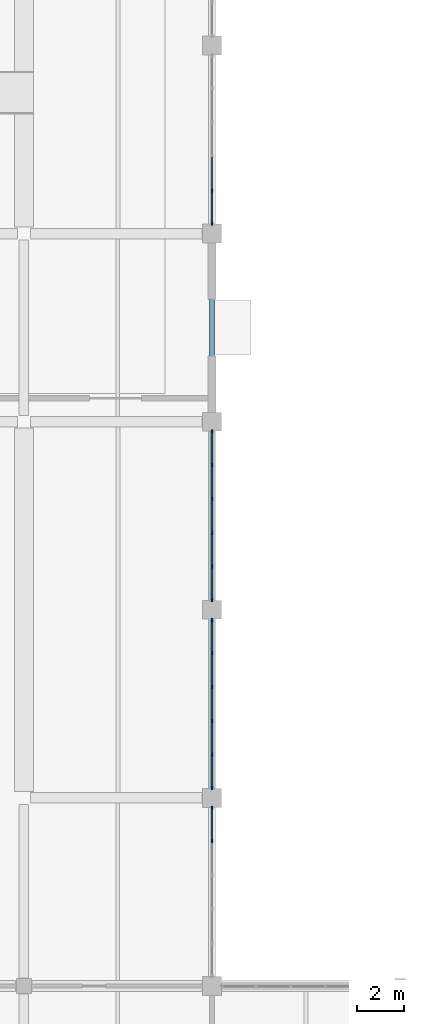
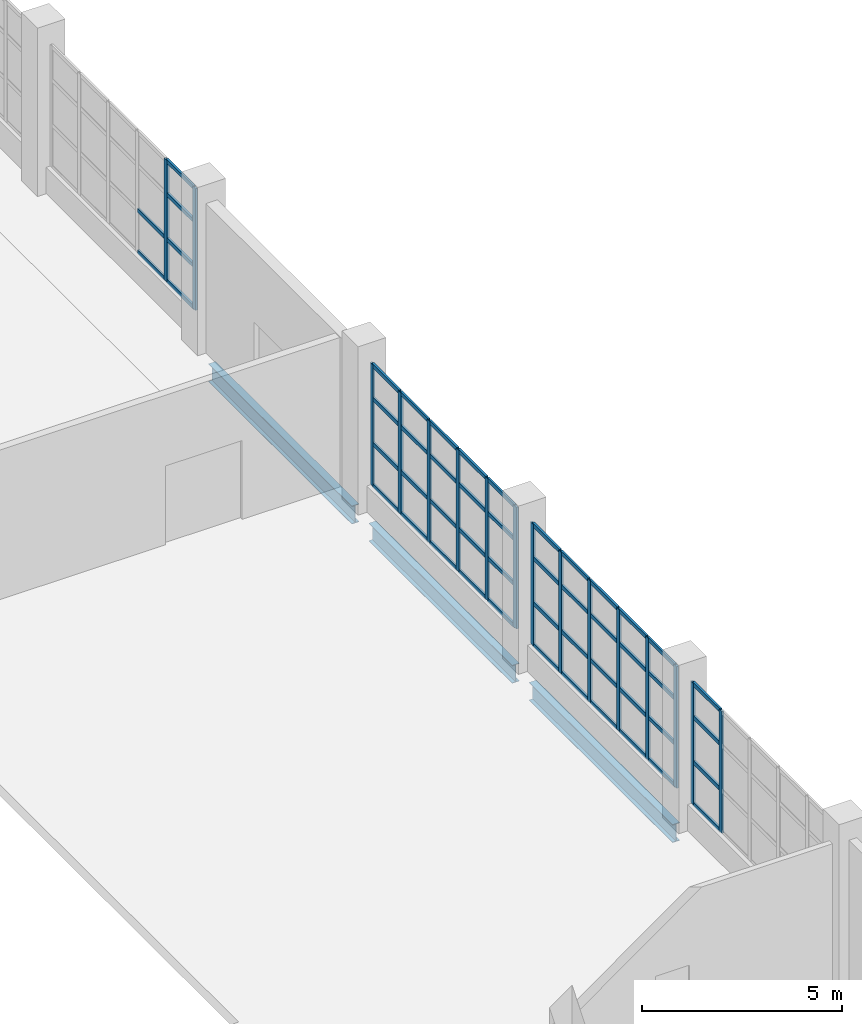
# One storey, part 24 of 103: 66 members, 3 beams, 4 elements without a shape of their own.
"""IFC4 building model written with IfcOpenShell, lengths in metres."""

from ifc_helpers import new_model, si_unit, direction, frame, origin, origin_2d, place, context, subcontext, project, spatial, rectangle, i_section, extrude, material, layer, layer_set, material_profile, profile_set, type_object, element, aggregate, save


model = new_model("IFC4")

# Units and contexts
model_context = context("Model", 3, precision=1e-05, world=origin(), true_north=direction((0.0, 1.0)))
body_context = subcontext(model_context, "Body", "Model", "MODEL_VIEW")
ifc_project = project(units=[si_unit("LENGTHUNIT", "METRE"), si_unit("AREAUNIT", "SQUARE_METRE"), si_unit("VOLUMEUNIT", "CUBIC_METRE"), si_unit("PLANEANGLEUNIT", "RADIAN"), si_unit("MASSUNIT", "GRAM", prefix="KILO")], contexts=[model_context])

# Site, building, storey
site_placement = place(None, origin())
site = spatial("IfcSite", under=ifc_project, at=site_placement, CompositionType="ELEMENT")
building_placement = place(site_placement, origin())
building = spatial("IfcBuilding", under=site, at=building_placement, Name="Drelvana Railside Aquatics Centre", CompositionType="ELEMENT")
storey_placement = place(building_placement, origin())
storey = spatial("IfcBuildingStorey", under=building, at=storey_placement, Name="L00", CompositionType="ELEMENT", Elevation=0.0)

# Curtain wall, members
ifc_material_1 = material(Name="Bronze-anodised aluminium curtain wall", Category="aluminium")
ifc_layer = layer(ifc_material_1, 0.1650390625, Name="Bronze-anodised aluminium curtain wall")
ifc_layer_set = layer_set([ifc_layer], Name="Bronze-anodised aluminium curtain wall")
curtain_wall_type = type_object("IfcCurtainWallType", Name="CW-Z5-COURT", PredefinedType="NOTDEFINED", material=ifc_layer_set)
curtain_wall_1_placement = place(storey_placement, origin())
curtain_wall_1 = element("IfcCurtainWall", 1, at=curtain_wall_1_placement, inside=storey, type_object=curtain_wall_type, Name="Curtain wall CW-05-055", PredefinedType="NOTDEFINED")
ifc_material_2 = material(Name="Bronze-anodised aluminium 6063-T6", Category="aluminium")
ifc_material_profile_1 = material_profile(ifc_material_2, rectangle(XDim=0.06005859375, YDim=0.14990234375, at=origin_2d()), Name="ALU-M 60x150")
ifc_profile_set_1 = profile_set([ifc_material_profile_1], Name="Bronze-anodised aluminium 6063-T6")
member_type_1 = type_object("IfcMemberType", Name="CW-Z5-COURT-MUL", PredefinedType="MULLION", material=ifc_profile_set_1)
member_1_placement = place(storey_placement, frame((96.0, 30.16357421875, 0.7939453125), z_axis=(0.0, 0.0, 1.0), x_axis=(-1.0, 0.0, 0.0)))
member_1 = element("IfcMember", 2, at=member_1_placement, type_object=member_type_1, Name="CW-05 mullion 5", PredefinedType="MULLION", context=body_context, shape_type="SweptSolid", body=[
    extrude(rectangle(XDim=0.06005859375, YDim=0.14990234375, at=origin_2d()), origin(), (0.0, 0.0, 1.0), 3.7060546875),
])
member_2_placement = place(storey_placement, frame((96.0, 31.575927734375, 0.7939453125), z_axis=(0.0, 0.0, 1.0), x_axis=(-1.0, 0.0, 0.0)))
member_2 = element("IfcMember", 3, at=member_2_placement, type_object=member_type_1, Name="CW-05 mullion 6", PredefinedType="MULLION", context=body_context, shape_type="SweptSolid", body=[
    extrude(rectangle(XDim=0.06005859375, YDim=0.14990234375, at=origin_2d()), origin(), (0.0, 0.0, 1.0), 3.7060546875),
])

curtain_wall_2_placement = place(storey_placement, origin())
curtain_wall_2 = element("IfcCurtainWall", 4, at=curtain_wall_2_placement, inside=storey, type_object=curtain_wall_type, Name="Curtain wall CW-05-059", PredefinedType="NOTDEFINED")
member_3_placement = place(storey_placement, frame((96.0, 32.424072265625, 0.7939453125), z_axis=(0.0, 0.0, 1.0), x_axis=(-1.0, 0.0, 0.0)))
member_3 = element("IfcMember", 5, at=member_3_placement, type_object=member_type_1, Name="CW-05 mullion 1", PredefinedType="MULLION", context=body_context, shape_type="SweptSolid", body=[
    extrude(rectangle(XDim=0.06005859375, YDim=0.14990234375, at=origin_2d()), origin(), (0.0, 0.0, 1.0), 3.7060546875),
])
member_4_placement = place(storey_placement, frame((96.0, 33.83642578125, 0.7939453125), z_axis=(0.0, 0.0, 1.0), x_axis=(-1.0, 0.0, 0.0)))
member_4 = element("IfcMember", 6, at=member_4_placement, type_object=member_type_1, Name="CW-05 mullion 2", PredefinedType="MULLION", context=body_context, shape_type="SweptSolid", body=[
    extrude(rectangle(XDim=0.06005859375, YDim=0.14990234375, at=origin_2d()), origin(), (0.0, 0.0, 1.0), 3.7060546875),
])
member_5_placement = place(storey_placement, frame((96.0, 35.27880859375, 0.7939453125), z_axis=(0.0, 0.0, 1.0), x_axis=(-1.0, 0.0, 0.0)))
member_5 = element("IfcMember", 7, at=member_5_placement, type_object=member_type_1, Name="CW-05 mullion 3", PredefinedType="MULLION", context=body_context, shape_type="SweptSolid", body=[
    extrude(rectangle(XDim=0.06005859375, YDim=0.14990234375, at=origin_2d()), origin(), (0.0, 0.0, 1.0), 3.7060546875),
])
member_6_placement = place(storey_placement, frame((96.0, 36.72119140625, 0.7939453125), z_axis=(0.0, 0.0, 1.0), x_axis=(-1.0, 0.0, 0.0)))
member_6 = element("IfcMember", 8, at=member_6_placement, type_object=member_type_1, Name="CW-05 mullion 4", PredefinedType="MULLION", context=body_context, shape_type="SweptSolid", body=[
    extrude(rectangle(XDim=0.06005859375, YDim=0.14990234375, at=origin_2d()), origin(), (0.0, 0.0, 1.0), 3.7060546875),
])
member_7_placement = place(storey_placement, frame((96.0, 38.16357421875, 0.7939453125), z_axis=(0.0, 0.0, 1.0), x_axis=(-1.0, 0.0, 0.0)))
member_7 = element("IfcMember", 9, at=member_7_placement, type_object=member_type_1, Name="CW-05 mullion 5", PredefinedType="MULLION", context=body_context, shape_type="SweptSolid", body=[
    extrude(rectangle(XDim=0.06005859375, YDim=0.14990234375, at=origin_2d()), origin(), (0.0, 0.0, 1.0), 3.7060546875),
])
member_8_placement = place(storey_placement, frame((96.0, 39.575927734375, 0.7939453125), z_axis=(0.0, 0.0, 1.0), x_axis=(-1.0, 0.0, 0.0)))
member_8 = element("IfcMember", 10, at=member_8_placement, type_object=member_type_1, Name="CW-05 mullion 6", PredefinedType="MULLION", context=body_context, shape_type="SweptSolid", body=[
    extrude(rectangle(XDim=0.06005859375, YDim=0.14990234375, at=origin_2d()), origin(), (0.0, 0.0, 1.0), 3.7060546875),
])

curtain_wall_3_placement = place(storey_placement, origin())
curtain_wall_3 = element("IfcCurtainWall", 11, at=curtain_wall_3_placement, inside=storey, type_object=curtain_wall_type, Name="Curtain wall CW-05-063", PredefinedType="NOTDEFINED")
member_9_placement = place(storey_placement, frame((96.0, 40.424072265625, 0.7939453125), z_axis=(0.0, 0.0, 1.0), x_axis=(-1.0, 0.0, 0.0)))
member_9 = element("IfcMember", 12, at=member_9_placement, type_object=member_type_1, Name="CW-05 mullion 1", PredefinedType="MULLION", context=body_context, shape_type="SweptSolid", body=[
    extrude(rectangle(XDim=0.06005859375, YDim=0.14990234375, at=origin_2d()), origin(), (0.0, 0.0, 1.0), 3.7060546875),
])
member_10_placement = place(storey_placement, frame((96.0, 41.83642578125, 0.7939453125), z_axis=(0.0, 0.0, 1.0), x_axis=(-1.0, 0.0, 0.0)))
member_10 = element("IfcMember", 13, at=member_10_placement, type_object=member_type_1, Name="CW-05 mullion 2", PredefinedType="MULLION", context=body_context, shape_type="SweptSolid", body=[
    extrude(rectangle(XDim=0.06005859375, YDim=0.14990234375, at=origin_2d()), origin(), (0.0, 0.0, 1.0), 3.7060546875),
])
member_11_placement = place(storey_placement, frame((96.0, 43.27880859375, 0.7939453125), z_axis=(0.0, 0.0, 1.0), x_axis=(-1.0, 0.0, 0.0)))
member_11 = element("IfcMember", 14, at=member_11_placement, type_object=member_type_1, Name="CW-05 mullion 3", PredefinedType="MULLION", context=body_context, shape_type="SweptSolid", body=[
    extrude(rectangle(XDim=0.06005859375, YDim=0.14990234375, at=origin_2d()), origin(), (0.0, 0.0, 1.0), 3.7060546875),
])
member_12_placement = place(storey_placement, frame((96.0, 44.72119140625, 0.7939453125), z_axis=(0.0, 0.0, 1.0), x_axis=(-1.0, 0.0, 0.0)))
member_12 = element("IfcMember", 15, at=member_12_placement, type_object=member_type_1, Name="CW-05 mullion 4", PredefinedType="MULLION", context=body_context, shape_type="SweptSolid", body=[
    extrude(rectangle(XDim=0.06005859375, YDim=0.14990234375, at=origin_2d()), origin(), (0.0, 0.0, 1.0), 3.7060546875),
])
member_13_placement = place(storey_placement, frame((96.0, 46.16357421875, 0.7939453125), z_axis=(0.0, 0.0, 1.0), x_axis=(-1.0, 0.0, 0.0)))
member_13 = element("IfcMember", 16, at=member_13_placement, type_object=member_type_1, Name="CW-05 mullion 5", PredefinedType="MULLION", context=body_context, shape_type="SweptSolid", body=[
    extrude(rectangle(XDim=0.06005859375, YDim=0.14990234375, at=origin_2d()), origin(), (0.0, 0.0, 1.0), 3.7060546875),
])
member_14_placement = place(storey_placement, frame((96.0, 47.575927734375, 0.7939453125), z_axis=(0.0, 0.0, 1.0), x_axis=(-1.0, 0.0, 0.0)))
member_14 = element("IfcMember", 17, at=member_14_placement, type_object=member_type_1, Name="CW-05 mullion 6", PredefinedType="MULLION", context=body_context, shape_type="SweptSolid", body=[
    extrude(rectangle(XDim=0.06005859375, YDim=0.14990234375, at=origin_2d()), origin(), (0.0, 0.0, 1.0), 3.7060546875),
])

curtain_wall_4_placement = place(storey_placement, origin())
curtain_wall_4 = element("IfcCurtainWall", 18, at=curtain_wall_4_placement, inside=storey, type_object=curtain_wall_type, Name="Curtain wall CW-05-070", PredefinedType="NOTDEFINED")
member_15_placement = place(storey_placement, frame((96.0, 56.424072265625, 0.7939453125), z_axis=(0.0, 0.0, 1.0), x_axis=(-1.0, 0.0, 0.0)))
member_15 = element("IfcMember", 19, at=member_15_placement, type_object=member_type_1, Name="CW-05 mullion 1", PredefinedType="MULLION", context=body_context, shape_type="SweptSolid", body=[
    extrude(rectangle(XDim=0.06005859375, YDim=0.14990234375, at=origin_2d()), origin(), (0.0, 0.0, 1.0), 3.7060546875),
])
member_16_placement = place(storey_placement, frame((96.0, 57.83642578125, 0.7939453125), z_axis=(0.0, 0.0, 1.0), x_axis=(-1.0, 0.0, 0.0)))
member_16 = element("IfcMember", 20, at=member_16_placement, type_object=member_type_1, Name="CW-05 mullion 2", PredefinedType="MULLION", context=body_context, shape_type="SweptSolid", body=[
    extrude(rectangle(XDim=0.06005859375, YDim=0.14990234375, at=origin_2d()), origin(), (0.0, 0.0, 1.0), 3.7060546875),
])

# Member
ifc_material_profile_2 = material_profile(ifc_material_2, rectangle(XDim=0.1201171875, YDim=0.06005859375, at=origin_2d()), Name="ALU-T 60x120")
ifc_profile_set_2 = profile_set([ifc_material_profile_2], Name="Bronze-anodised aluminium 6063-T6")
member_type_2 = type_object("IfcMemberType", Name="CW-Z5-COURT-TRN", PredefinedType="USERDEFINED", material=ifc_profile_set_2)
member_17_placement = place(storey_placement, frame((96.0, 30.188720703125, 0.823974609375), z_axis=(0.0, 1.0, 0.0), x_axis=(0.0, 0.0, 1.0)))
member_17 = element("IfcMember", 21, at=member_17_placement, type_object=member_type_2, Name="CW-05 transom 5.1", ObjectType="TRANSOM", PredefinedType="USERDEFINED", context=body_context, shape_type="SweptSolid", body=[
    extrude(rectangle(XDim=0.1201171875, YDim=0.06005859375, at=origin_2d()), origin(), (0.0, 0.0, 1.0), 1.3623046875),
])

member_18_placement = place(storey_placement, frame((96.0, 30.188720703125, 2.091064453125), z_axis=(0.0, 1.0, 0.0), x_axis=(0.0, 0.0, 1.0)))
member_18 = element("IfcMember", 22, at=member_18_placement, type_object=member_type_2, Name="CW-05 transom 5.2", ObjectType="TRANSOM", PredefinedType="USERDEFINED", context=body_context, shape_type="SweptSolid", body=[
    extrude(rectangle(XDim=0.1201171875, YDim=0.06005859375, at=origin_2d()), origin(), (0.0, 0.0, 1.0), 1.3623046875),
])

member_19_placement = place(storey_placement, frame((96.0, 30.188720703125, 3.4619140625), z_axis=(0.0, 1.0, 0.0), x_axis=(0.0, 0.0, 1.0)))
member_19 = element("IfcMember", 23, at=member_19_placement, type_object=member_type_2, Name="CW-05 transom 5.3", ObjectType="TRANSOM", PredefinedType="USERDEFINED", context=body_context, shape_type="SweptSolid", body=[
    extrude(rectangle(XDim=0.1201171875, YDim=0.06005859375, at=origin_2d()), origin(), (0.0, 0.0, 1.0), 1.3623046875),
])

member_20_placement = place(storey_placement, frame((96.0, 30.188720703125, 4.469970703125), z_axis=(0.0, 1.0, 0.0), x_axis=(0.0, 0.0, 1.0)))
member_20 = element("IfcMember", 24, at=member_20_placement, type_object=member_type_2, Name="CW-05 transom 5.4", ObjectType="TRANSOM", PredefinedType="USERDEFINED", context=body_context, shape_type="SweptSolid", body=[
    extrude(rectangle(XDim=0.1201171875, YDim=0.06005859375, at=origin_2d()), origin(), (0.0, 0.0, 1.0), 1.3623046875),
])

aggregate(curtain_wall_1, [member_1, member_2, member_17, member_18, member_19, member_20])

member_21_placement = place(storey_placement, frame((96.0, 32.448974609375, 0.823974609375), z_axis=(0.0, 1.0, 0.0), x_axis=(0.0, 0.0, 1.0)))
member_21 = element("IfcMember", 25, at=member_21_placement, type_object=member_type_2, Name="CW-05 transom 1.1", ObjectType="TRANSOM", PredefinedType="USERDEFINED", context=body_context, shape_type="SweptSolid", body=[
    extrude(rectangle(XDim=0.1201171875, YDim=0.06005859375, at=origin_2d()), origin(), (0.0, 0.0, 1.0), 1.3623046875),
])

member_22_placement = place(storey_placement, frame((96.0, 32.448974609375, 2.091064453125), z_axis=(0.0, 1.0, 0.0), x_axis=(0.0, 0.0, 1.0)))
member_22 = element("IfcMember", 26, at=member_22_placement, type_object=member_type_2, Name="CW-05 transom 1.2", ObjectType="TRANSOM", PredefinedType="USERDEFINED", context=body_context, shape_type="SweptSolid", body=[
    extrude(rectangle(XDim=0.1201171875, YDim=0.06005859375, at=origin_2d()), origin(), (0.0, 0.0, 1.0), 1.3623046875),
])

member_23_placement = place(storey_placement, frame((96.0, 32.448974609375, 3.4619140625), z_axis=(0.0, 1.0, 0.0), x_axis=(0.0, 0.0, 1.0)))
member_23 = element("IfcMember", 27, at=member_23_placement, type_object=member_type_2, Name="CW-05 transom 1.3", ObjectType="TRANSOM", PredefinedType="USERDEFINED", context=body_context, shape_type="SweptSolid", body=[
    extrude(rectangle(XDim=0.1201171875, YDim=0.06005859375, at=origin_2d()), origin(), (0.0, 0.0, 1.0), 1.3623046875),
])

member_24_placement = place(storey_placement, frame((96.0, 32.448974609375, 4.469970703125), z_axis=(0.0, 1.0, 0.0), x_axis=(0.0, 0.0, 1.0)))
member_24 = element("IfcMember", 28, at=member_24_placement, type_object=member_type_2, Name="CW-05 transom 1.4", ObjectType="TRANSOM", PredefinedType="USERDEFINED", context=body_context, shape_type="SweptSolid", body=[
    extrude(rectangle(XDim=0.1201171875, YDim=0.06005859375, at=origin_2d()), origin(), (0.0, 0.0, 1.0), 1.3623046875),
])

member_25_placement = place(storey_placement, frame((96.0, 33.861328125, 0.823974609375), z_axis=(0.0, 1.0, 0.0), x_axis=(0.0, 0.0, 1.0)))
member_25 = element("IfcMember", 29, at=member_25_placement, type_object=member_type_2, Name="CW-05 transom 2.1", ObjectType="TRANSOM", PredefinedType="USERDEFINED", context=body_context, shape_type="SweptSolid", body=[
    extrude(rectangle(XDim=0.1201171875, YDim=0.06005859375, at=origin_2d()), origin(), (0.0, 0.0, 1.0), 1.392578125),
])

member_26_placement = place(storey_placement, frame((96.0, 33.861328125, 2.091064453125), z_axis=(0.0, 1.0, 0.0), x_axis=(0.0, 0.0, 1.0)))
member_26 = element("IfcMember", 30, at=member_26_placement, type_object=member_type_2, Name="CW-05 transom 2.2", ObjectType="TRANSOM", PredefinedType="USERDEFINED", context=body_context, shape_type="SweptSolid", body=[
    extrude(rectangle(XDim=0.1201171875, YDim=0.06005859375, at=origin_2d()), origin(), (0.0, 0.0, 1.0), 1.392578125),
])

member_27_placement = place(storey_placement, frame((96.0, 33.861328125, 3.4619140625), z_axis=(0.0, 1.0, 0.0), x_axis=(0.0, 0.0, 1.0)))
member_27 = element("IfcMember", 31, at=member_27_placement, type_object=member_type_2, Name="CW-05 transom 2.3", ObjectType="TRANSOM", PredefinedType="USERDEFINED", context=body_context, shape_type="SweptSolid", body=[
    extrude(rectangle(XDim=0.1201171875, YDim=0.06005859375, at=origin_2d()), origin(), (0.0, 0.0, 1.0), 1.392578125),
])

member_28_placement = place(storey_placement, frame((96.0, 33.861328125, 4.469970703125), z_axis=(0.0, 1.0, 0.0), x_axis=(0.0, 0.0, 1.0)))
member_28 = element("IfcMember", 32, at=member_28_placement, type_object=member_type_2, Name="CW-05 transom 2.4", ObjectType="TRANSOM", PredefinedType="USERDEFINED", context=body_context, shape_type="SweptSolid", body=[
    extrude(rectangle(XDim=0.1201171875, YDim=0.06005859375, at=origin_2d()), origin(), (0.0, 0.0, 1.0), 1.392578125),
])

member_29_placement = place(storey_placement, frame((96.0, 35.3037109375, 0.823974609375), z_axis=(0.0, 1.0, 0.0), x_axis=(0.0, 0.0, 1.0)))
member_29 = element("IfcMember", 33, at=member_29_placement, type_object=member_type_2, Name="CW-05 transom 3.1", ObjectType="TRANSOM", PredefinedType="USERDEFINED", context=body_context, shape_type="SweptSolid", body=[
    extrude(rectangle(XDim=0.1201171875, YDim=0.06005859375, at=origin_2d()), origin(), (0.0, 0.0, 1.0), 1.392578125),
])

member_30_placement = place(storey_placement, frame((96.0, 35.3037109375, 2.091064453125), z_axis=(0.0, 1.0, 0.0), x_axis=(0.0, 0.0, 1.0)))
member_30 = element("IfcMember", 34, at=member_30_placement, type_object=member_type_2, Name="CW-05 transom 3.2", ObjectType="TRANSOM", PredefinedType="USERDEFINED", context=body_context, shape_type="SweptSolid", body=[
    extrude(rectangle(XDim=0.1201171875, YDim=0.06005859375, at=origin_2d()), origin(), (0.0, 0.0, 1.0), 1.392578125),
])

member_31_placement = place(storey_placement, frame((96.0, 35.3037109375, 3.4619140625), z_axis=(0.0, 1.0, 0.0), x_axis=(0.0, 0.0, 1.0)))
member_31 = element("IfcMember", 35, at=member_31_placement, type_object=member_type_2, Name="CW-05 transom 3.3", ObjectType="TRANSOM", PredefinedType="USERDEFINED", context=body_context, shape_type="SweptSolid", body=[
    extrude(rectangle(XDim=0.1201171875, YDim=0.06005859375, at=origin_2d()), origin(), (0.0, 0.0, 1.0), 1.392578125),
])

member_32_placement = place(storey_placement, frame((96.0, 35.3037109375, 4.469970703125), z_axis=(0.0, 1.0, 0.0), x_axis=(0.0, 0.0, 1.0)))
member_32 = element("IfcMember", 36, at=member_32_placement, type_object=member_type_2, Name="CW-05 transom 3.4", ObjectType="TRANSOM", PredefinedType="USERDEFINED", context=body_context, shape_type="SweptSolid", body=[
    extrude(rectangle(XDim=0.1201171875, YDim=0.06005859375, at=origin_2d()), origin(), (0.0, 0.0, 1.0), 1.392578125),
])

member_33_placement = place(storey_placement, frame((96.0, 36.74609375, 0.823974609375), z_axis=(0.0, 1.0, 0.0), x_axis=(0.0, 0.0, 1.0)))
member_33 = element("IfcMember", 37, at=member_33_placement, type_object=member_type_2, Name="CW-05 transom 4.1", ObjectType="TRANSOM", PredefinedType="USERDEFINED", context=body_context, shape_type="SweptSolid", body=[
    extrude(rectangle(XDim=0.1201171875, YDim=0.06005859375, at=origin_2d()), origin(), (0.0, 0.0, 1.0), 1.392578125),
])

member_34_placement = place(storey_placement, frame((96.0, 36.74609375, 2.091064453125), z_axis=(0.0, 1.0, 0.0), x_axis=(0.0, 0.0, 1.0)))
member_34 = element("IfcMember", 38, at=member_34_placement, type_object=member_type_2, Name="CW-05 transom 4.2", ObjectType="TRANSOM", PredefinedType="USERDEFINED", context=body_context, shape_type="SweptSolid", body=[
    extrude(rectangle(XDim=0.1201171875, YDim=0.06005859375, at=origin_2d()), origin(), (0.0, 0.0, 1.0), 1.392578125),
])

member_35_placement = place(storey_placement, frame((96.0, 36.74609375, 3.4619140625), z_axis=(0.0, 1.0, 0.0), x_axis=(0.0, 0.0, 1.0)))
member_35 = element("IfcMember", 39, at=member_35_placement, type_object=member_type_2, Name="CW-05 transom 4.3", ObjectType="TRANSOM", PredefinedType="USERDEFINED", context=body_context, shape_type="SweptSolid", body=[
    extrude(rectangle(XDim=0.1201171875, YDim=0.06005859375, at=origin_2d()), origin(), (0.0, 0.0, 1.0), 1.392578125),
])

member_36_placement = place(storey_placement, frame((96.0, 36.74609375, 4.469970703125), z_axis=(0.0, 1.0, 0.0), x_axis=(0.0, 0.0, 1.0)))
member_36 = element("IfcMember", 40, at=member_36_placement, type_object=member_type_2, Name="CW-05 transom 4.4", ObjectType="TRANSOM", PredefinedType="USERDEFINED", context=body_context, shape_type="SweptSolid", body=[
    extrude(rectangle(XDim=0.1201171875, YDim=0.06005859375, at=origin_2d()), origin(), (0.0, 0.0, 1.0), 1.392578125),
])

member_37_placement = place(storey_placement, frame((96.0, 38.188720703125, 0.823974609375), z_axis=(0.0, 1.0, 0.0), x_axis=(0.0, 0.0, 1.0)))
member_37 = element("IfcMember", 41, at=member_37_placement, type_object=member_type_2, Name="CW-05 transom 5.1", ObjectType="TRANSOM", PredefinedType="USERDEFINED", context=body_context, shape_type="SweptSolid", body=[
    extrude(rectangle(XDim=0.1201171875, YDim=0.06005859375, at=origin_2d()), origin(), (0.0, 0.0, 1.0), 1.3623046875),
])

member_38_placement = place(storey_placement, frame((96.0, 38.188720703125, 2.091064453125), z_axis=(0.0, 1.0, 0.0), x_axis=(0.0, 0.0, 1.0)))
member_38 = element("IfcMember", 42, at=member_38_placement, type_object=member_type_2, Name="CW-05 transom 5.2", ObjectType="TRANSOM", PredefinedType="USERDEFINED", context=body_context, shape_type="SweptSolid", body=[
    extrude(rectangle(XDim=0.1201171875, YDim=0.06005859375, at=origin_2d()), origin(), (0.0, 0.0, 1.0), 1.3623046875),
])

member_39_placement = place(storey_placement, frame((96.0, 38.188720703125, 3.4619140625), z_axis=(0.0, 1.0, 0.0), x_axis=(0.0, 0.0, 1.0)))
member_39 = element("IfcMember", 43, at=member_39_placement, type_object=member_type_2, Name="CW-05 transom 5.3", ObjectType="TRANSOM", PredefinedType="USERDEFINED", context=body_context, shape_type="SweptSolid", body=[
    extrude(rectangle(XDim=0.1201171875, YDim=0.06005859375, at=origin_2d()), origin(), (0.0, 0.0, 1.0), 1.3623046875),
])

member_40_placement = place(storey_placement, frame((96.0, 38.188720703125, 4.469970703125), z_axis=(0.0, 1.0, 0.0), x_axis=(0.0, 0.0, 1.0)))
member_40 = element("IfcMember", 44, at=member_40_placement, type_object=member_type_2, Name="CW-05 transom 5.4", ObjectType="TRANSOM", PredefinedType="USERDEFINED", context=body_context, shape_type="SweptSolid", body=[
    extrude(rectangle(XDim=0.1201171875, YDim=0.06005859375, at=origin_2d()), origin(), (0.0, 0.0, 1.0), 1.3623046875),
])

aggregate(curtain_wall_2, [member_3, member_4, member_5, member_6, member_7, member_8, member_21, member_22, member_23, member_24, member_25, member_26, member_27, member_28, member_29, member_30, member_31, member_32, member_33, member_34, member_35, member_36, member_37, member_38, member_39, member_40])

member_41_placement = place(storey_placement, frame((96.0, 40.448974609375, 0.823974609375), z_axis=(0.0, 1.0, 0.0), x_axis=(0.0, 0.0, 1.0)))
member_41 = element("IfcMember", 45, at=member_41_placement, type_object=member_type_2, Name="CW-05 transom 1.1", ObjectType="TRANSOM", PredefinedType="USERDEFINED", context=body_context, shape_type="SweptSolid", body=[
    extrude(rectangle(XDim=0.1201171875, YDim=0.06005859375, at=origin_2d()), origin(), (0.0, 0.0, 1.0), 1.3623046875),
])

member_42_placement = place(storey_placement, frame((96.0, 40.448974609375, 2.091064453125), z_axis=(0.0, 1.0, 0.0), x_axis=(0.0, 0.0, 1.0)))
member_42 = element("IfcMember", 46, at=member_42_placement, type_object=member_type_2, Name="CW-05 transom 1.2", ObjectType="TRANSOM", PredefinedType="USERDEFINED", context=body_context, shape_type="SweptSolid", body=[
    extrude(rectangle(XDim=0.1201171875, YDim=0.06005859375, at=origin_2d()), origin(), (0.0, 0.0, 1.0), 1.3623046875),
])

member_43_placement = place(storey_placement, frame((96.0, 40.448974609375, 3.4619140625), z_axis=(0.0, 1.0, 0.0), x_axis=(0.0, 0.0, 1.0)))
member_43 = element("IfcMember", 47, at=member_43_placement, type_object=member_type_2, Name="CW-05 transom 1.3", ObjectType="TRANSOM", PredefinedType="USERDEFINED", context=body_context, shape_type="SweptSolid", body=[
    extrude(rectangle(XDim=0.1201171875, YDim=0.06005859375, at=origin_2d()), origin(), (0.0, 0.0, 1.0), 1.3623046875),
])

member_44_placement = place(storey_placement, frame((96.0, 40.448974609375, 4.469970703125), z_axis=(0.0, 1.0, 0.0), x_axis=(0.0, 0.0, 1.0)))
member_44 = element("IfcMember", 48, at=member_44_placement, type_object=member_type_2, Name="CW-05 transom 1.4", ObjectType="TRANSOM", PredefinedType="USERDEFINED", context=body_context, shape_type="SweptSolid", body=[
    extrude(rectangle(XDim=0.1201171875, YDim=0.06005859375, at=origin_2d()), origin(), (0.0, 0.0, 1.0), 1.3623046875),
])

member_45_placement = place(storey_placement, frame((96.0, 41.861328125, 0.823974609375), z_axis=(0.0, 1.0, 0.0), x_axis=(0.0, 0.0, 1.0)))
member_45 = element("IfcMember", 49, at=member_45_placement, type_object=member_type_2, Name="CW-05 transom 2.1", ObjectType="TRANSOM", PredefinedType="USERDEFINED", context=body_context, shape_type="SweptSolid", body=[
    extrude(rectangle(XDim=0.1201171875, YDim=0.06005859375, at=origin_2d()), origin(), (0.0, 0.0, 1.0), 1.392578125),
])

member_46_placement = place(storey_placement, frame((96.0, 41.861328125, 2.091064453125), z_axis=(0.0, 1.0, 0.0), x_axis=(0.0, 0.0, 1.0)))
member_46 = element("IfcMember", 50, at=member_46_placement, type_object=member_type_2, Name="CW-05 transom 2.2", ObjectType="TRANSOM", PredefinedType="USERDEFINED", context=body_context, shape_type="SweptSolid", body=[
    extrude(rectangle(XDim=0.1201171875, YDim=0.06005859375, at=origin_2d()), origin(), (0.0, 0.0, 1.0), 1.392578125),
])

member_47_placement = place(storey_placement, frame((96.0, 41.861328125, 3.4619140625), z_axis=(0.0, 1.0, 0.0), x_axis=(0.0, 0.0, 1.0)))
member_47 = element("IfcMember", 51, at=member_47_placement, type_object=member_type_2, Name="CW-05 transom 2.3", ObjectType="TRANSOM", PredefinedType="USERDEFINED", context=body_context, shape_type="SweptSolid", body=[
    extrude(rectangle(XDim=0.1201171875, YDim=0.06005859375, at=origin_2d()), origin(), (0.0, 0.0, 1.0), 1.392578125),
])

member_48_placement = place(storey_placement, frame((96.0, 41.861328125, 4.469970703125), z_axis=(0.0, 1.0, 0.0), x_axis=(0.0, 0.0, 1.0)))
member_48 = element("IfcMember", 52, at=member_48_placement, type_object=member_type_2, Name="CW-05 transom 2.4", ObjectType="TRANSOM", PredefinedType="USERDEFINED", context=body_context, shape_type="SweptSolid", body=[
    extrude(rectangle(XDim=0.1201171875, YDim=0.06005859375, at=origin_2d()), origin(), (0.0, 0.0, 1.0), 1.392578125),
])

member_49_placement = place(storey_placement, frame((96.0, 43.3037109375, 0.823974609375), z_axis=(0.0, 1.0, 0.0), x_axis=(0.0, 0.0, 1.0)))
member_49 = element("IfcMember", 53, at=member_49_placement, type_object=member_type_2, Name="CW-05 transom 3.1", ObjectType="TRANSOM", PredefinedType="USERDEFINED", context=body_context, shape_type="SweptSolid", body=[
    extrude(rectangle(XDim=0.1201171875, YDim=0.06005859375, at=origin_2d()), origin(), (0.0, 0.0, 1.0), 1.392578125),
])

member_50_placement = place(storey_placement, frame((96.0, 43.3037109375, 2.091064453125), z_axis=(0.0, 1.0, 0.0), x_axis=(0.0, 0.0, 1.0)))
member_50 = element("IfcMember", 54, at=member_50_placement, type_object=member_type_2, Name="CW-05 transom 3.2", ObjectType="TRANSOM", PredefinedType="USERDEFINED", context=body_context, shape_type="SweptSolid", body=[
    extrude(rectangle(XDim=0.1201171875, YDim=0.06005859375, at=origin_2d()), origin(), (0.0, 0.0, 1.0), 1.392578125),
])

member_51_placement = place(storey_placement, frame((96.0, 43.3037109375, 3.4619140625), z_axis=(0.0, 1.0, 0.0), x_axis=(0.0, 0.0, 1.0)))
member_51 = element("IfcMember", 55, at=member_51_placement, type_object=member_type_2, Name="CW-05 transom 3.3", ObjectType="TRANSOM", PredefinedType="USERDEFINED", context=body_context, shape_type="SweptSolid", body=[
    extrude(rectangle(XDim=0.1201171875, YDim=0.06005859375, at=origin_2d()), origin(), (0.0, 0.0, 1.0), 1.392578125),
])

member_52_placement = place(storey_placement, frame((96.0, 43.3037109375, 4.469970703125), z_axis=(0.0, 1.0, 0.0), x_axis=(0.0, 0.0, 1.0)))
member_52 = element("IfcMember", 56, at=member_52_placement, type_object=member_type_2, Name="CW-05 transom 3.4", ObjectType="TRANSOM", PredefinedType="USERDEFINED", context=body_context, shape_type="SweptSolid", body=[
    extrude(rectangle(XDim=0.1201171875, YDim=0.06005859375, at=origin_2d()), origin(), (0.0, 0.0, 1.0), 1.392578125),
])

member_53_placement = place(storey_placement, frame((96.0, 44.74609375, 0.823974609375), z_axis=(0.0, 1.0, 0.0), x_axis=(0.0, 0.0, 1.0)))
member_53 = element("IfcMember", 57, at=member_53_placement, type_object=member_type_2, Name="CW-05 transom 4.1", ObjectType="TRANSOM", PredefinedType="USERDEFINED", context=body_context, shape_type="SweptSolid", body=[
    extrude(rectangle(XDim=0.1201171875, YDim=0.06005859375, at=origin_2d()), origin(), (0.0, 0.0, 1.0), 1.392578125),
])

member_54_placement = place(storey_placement, frame((96.0, 44.74609375, 2.091064453125), z_axis=(0.0, 1.0, 0.0), x_axis=(0.0, 0.0, 1.0)))
member_54 = element("IfcMember", 58, at=member_54_placement, type_object=member_type_2, Name="CW-05 transom 4.2", ObjectType="TRANSOM", PredefinedType="USERDEFINED", context=body_context, shape_type="SweptSolid", body=[
    extrude(rectangle(XDim=0.1201171875, YDim=0.06005859375, at=origin_2d()), origin(), (0.0, 0.0, 1.0), 1.392578125),
])

member_55_placement = place(storey_placement, frame((96.0, 44.74609375, 3.4619140625), z_axis=(0.0, 1.0, 0.0), x_axis=(0.0, 0.0, 1.0)))
member_55 = element("IfcMember", 59, at=member_55_placement, type_object=member_type_2, Name="CW-05 transom 4.3", ObjectType="TRANSOM", PredefinedType="USERDEFINED", context=body_context, shape_type="SweptSolid", body=[
    extrude(rectangle(XDim=0.1201171875, YDim=0.06005859375, at=origin_2d()), origin(), (0.0, 0.0, 1.0), 1.392578125),
])

member_56_placement = place(storey_placement, frame((96.0, 44.74609375, 4.469970703125), z_axis=(0.0, 1.0, 0.0), x_axis=(0.0, 0.0, 1.0)))
member_56 = element("IfcMember", 60, at=member_56_placement, type_object=member_type_2, Name="CW-05 transom 4.4", ObjectType="TRANSOM", PredefinedType="USERDEFINED", context=body_context, shape_type="SweptSolid", body=[
    extrude(rectangle(XDim=0.1201171875, YDim=0.06005859375, at=origin_2d()), origin(), (0.0, 0.0, 1.0), 1.392578125),
])

member_57_placement = place(storey_placement, frame((96.0, 46.188720703125, 0.823974609375), z_axis=(0.0, 1.0, 0.0), x_axis=(0.0, 0.0, 1.0)))
member_57 = element("IfcMember", 61, at=member_57_placement, type_object=member_type_2, Name="CW-05 transom 5.1", ObjectType="TRANSOM", PredefinedType="USERDEFINED", context=body_context, shape_type="SweptSolid", body=[
    extrude(rectangle(XDim=0.1201171875, YDim=0.06005859375, at=origin_2d()), origin(), (0.0, 0.0, 1.0), 1.3623046875),
])

member_58_placement = place(storey_placement, frame((96.0, 46.188720703125, 2.091064453125), z_axis=(0.0, 1.0, 0.0), x_axis=(0.0, 0.0, 1.0)))
member_58 = element("IfcMember", 62, at=member_58_placement, type_object=member_type_2, Name="CW-05 transom 5.2", ObjectType="TRANSOM", PredefinedType="USERDEFINED", context=body_context, shape_type="SweptSolid", body=[
    extrude(rectangle(XDim=0.1201171875, YDim=0.06005859375, at=origin_2d()), origin(), (0.0, 0.0, 1.0), 1.3623046875),
])

member_59_placement = place(storey_placement, frame((96.0, 46.188720703125, 3.4619140625), z_axis=(0.0, 1.0, 0.0), x_axis=(0.0, 0.0, 1.0)))
member_59 = element("IfcMember", 63, at=member_59_placement, type_object=member_type_2, Name="CW-05 transom 5.3", ObjectType="TRANSOM", PredefinedType="USERDEFINED", context=body_context, shape_type="SweptSolid", body=[
    extrude(rectangle(XDim=0.1201171875, YDim=0.06005859375, at=origin_2d()), origin(), (0.0, 0.0, 1.0), 1.3623046875),
])

member_60_placement = place(storey_placement, frame((96.0, 46.188720703125, 4.469970703125), z_axis=(0.0, 1.0, 0.0), x_axis=(0.0, 0.0, 1.0)))
member_60 = element("IfcMember", 64, at=member_60_placement, type_object=member_type_2, Name="CW-05 transom 5.4", ObjectType="TRANSOM", PredefinedType="USERDEFINED", context=body_context, shape_type="SweptSolid", body=[
    extrude(rectangle(XDim=0.1201171875, YDim=0.06005859375, at=origin_2d()), origin(), (0.0, 0.0, 1.0), 1.3623046875),
])

aggregate(curtain_wall_3, [member_9, member_10, member_11, member_12, member_13, member_14, member_41, member_42, member_43, member_44, member_45, member_46, member_47, member_48, member_49, member_50, member_51, member_52, member_53, member_54, member_55, member_56, member_57, member_58, member_59, member_60])

member_61_placement = place(storey_placement, frame((96.0, 56.448974609375, 0.823974609375), z_axis=(0.0, 1.0, 0.0), x_axis=(0.0, 0.0, 1.0)))
member_61 = element("IfcMember", 65, at=member_61_placement, type_object=member_type_2, Name="CW-05 transom 1.1", ObjectType="TRANSOM", PredefinedType="USERDEFINED", context=body_context, shape_type="SweptSolid", body=[
    extrude(rectangle(XDim=0.1201171875, YDim=0.06005859375, at=origin_2d()), origin(), (0.0, 0.0, 1.0), 1.3623046875),
])

member_62_placement = place(storey_placement, frame((96.0, 56.448974609375, 2.091064453125), z_axis=(0.0, 1.0, 0.0), x_axis=(0.0, 0.0, 1.0)))
member_62 = element("IfcMember", 66, at=member_62_placement, type_object=member_type_2, Name="CW-05 transom 1.2", ObjectType="TRANSOM", PredefinedType="USERDEFINED", context=body_context, shape_type="SweptSolid", body=[
    extrude(rectangle(XDim=0.1201171875, YDim=0.06005859375, at=origin_2d()), origin(), (0.0, 0.0, 1.0), 1.3623046875),
])

member_63_placement = place(storey_placement, frame((96.0, 56.448974609375, 3.4619140625), z_axis=(0.0, 1.0, 0.0), x_axis=(0.0, 0.0, 1.0)))
member_63 = element("IfcMember", 67, at=member_63_placement, type_object=member_type_2, Name="CW-05 transom 1.3", ObjectType="TRANSOM", PredefinedType="USERDEFINED", context=body_context, shape_type="SweptSolid", body=[
    extrude(rectangle(XDim=0.1201171875, YDim=0.06005859375, at=origin_2d()), origin(), (0.0, 0.0, 1.0), 1.3623046875),
])

member_64_placement = place(storey_placement, frame((96.0, 56.448974609375, 4.469970703125), z_axis=(0.0, 1.0, 0.0), x_axis=(0.0, 0.0, 1.0)))
member_64 = element("IfcMember", 68, at=member_64_placement, type_object=member_type_2, Name="CW-05 transom 1.4", ObjectType="TRANSOM", PredefinedType="USERDEFINED", context=body_context, shape_type="SweptSolid", body=[
    extrude(rectangle(XDim=0.1201171875, YDim=0.06005859375, at=origin_2d()), origin(), (0.0, 0.0, 1.0), 1.3623046875),
])

member_65_placement = place(storey_placement, frame((96.0, 57.861328125, 0.823974609375), z_axis=(0.0, 1.0, 0.0), x_axis=(0.0, 0.0, 1.0)))
member_65 = element("IfcMember", 69, at=member_65_placement, type_object=member_type_2, Name="CW-05 transom 2.1", ObjectType="TRANSOM", PredefinedType="USERDEFINED", context=body_context, shape_type="SweptSolid", body=[
    extrude(rectangle(XDim=0.1201171875, YDim=0.06005859375, at=origin_2d()), origin(), (0.0, 0.0, 1.0), 1.392578125),
])

member_66_placement = place(storey_placement, frame((96.0, 57.861328125, 2.091064453125), z_axis=(0.0, 1.0, 0.0), x_axis=(0.0, 0.0, 1.0)))
member_66 = element("IfcMember", 70, at=member_66_placement, type_object=member_type_2, Name="CW-05 transom 2.2", ObjectType="TRANSOM", PredefinedType="USERDEFINED", context=body_context, shape_type="SweptSolid", body=[
    extrude(rectangle(XDim=0.1201171875, YDim=0.06005859375, at=origin_2d()), origin(), (0.0, 0.0, 1.0), 1.392578125),
])

aggregate(curtain_wall_4, [member_15, member_16, member_61, member_62, member_63, member_64, member_65, member_66])

# Beams
ifc_material_3 = material(Name="Structural steel S355", Category="steel")
ifc_material_profile_3 = material_profile(ifc_material_3, i_section(OverallWidth=0.2099609375, OverallDepth=0.550048828125, WebThickness=0.010986328125, FlangeThickness=0.01708984375, at=origin_2d()), Name="IPE 550")
ifc_profile_set_3 = profile_set([ifc_material_profile_3], Name="Structural steel S355")
beam_type = type_object("IfcBeamType", Name="STR-SBM-SB-04-IPE-550", PredefinedType="SPANDREL", material=ifc_profile_set_3)
for number, where, z_axis, x_axis, name in (
    (71, (96.0, 32.425048828125, -0.60498046875), (0.0, 1.0, 0.0), (-1.0, 0.0, 0.0), "Girder SB-04 (L00)"),
    (72, (96.0, 40.425048828125, -0.60498046875), (0.0, 1.0, 0.0), (-1.0, 0.0, 0.0), "Girder SB-04 (L00)"),
    (73, (96.0, 48.425048828125, -0.60498046875), (0.0, 1.0, 0.0), (-1.0, 0.0, 0.0), "Girder SB-04 (L00)"),
):
    element("IfcBeam", number, at=place(storey_placement, frame(where, z_axis=z_axis, x_axis=x_axis)), inside=storey, type_object=beam_type, Name=name, PredefinedType="SPANDREL", context=body_context, shape_type="SweptSolid", body=[
        extrude(i_section(OverallWidth=0.2099609375, OverallDepth=0.550048828125, WebThickness=0.010986328125, FlangeThickness=0.01708984375, at=origin_2d()), origin(), (0.0, 0.0, 1.0), 7.14990234375),
    ])

save(model, "model.ifc")
